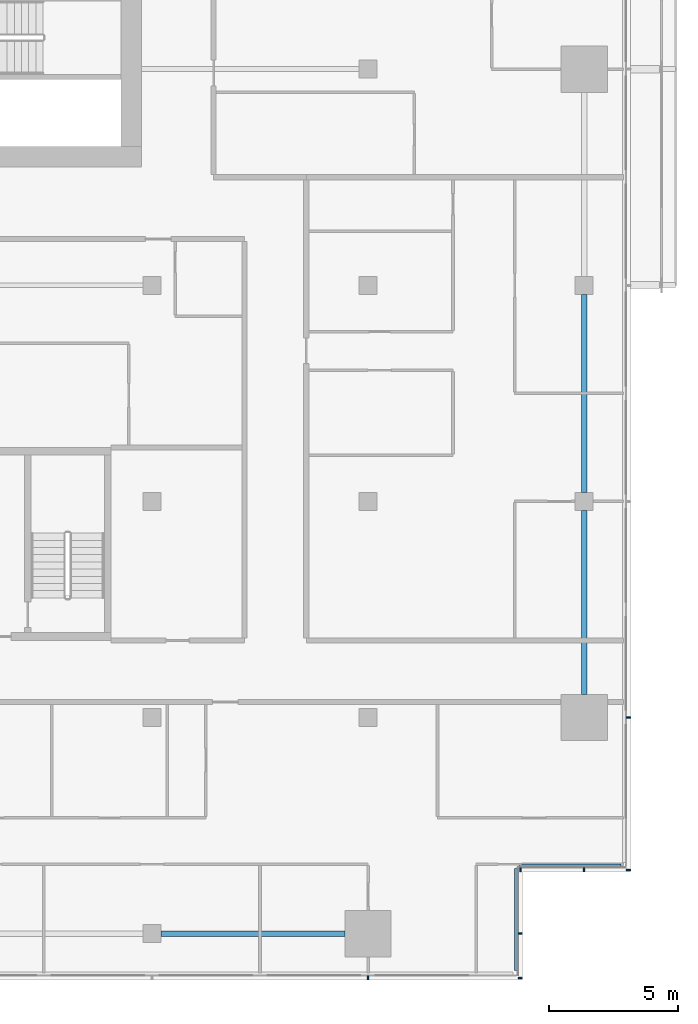
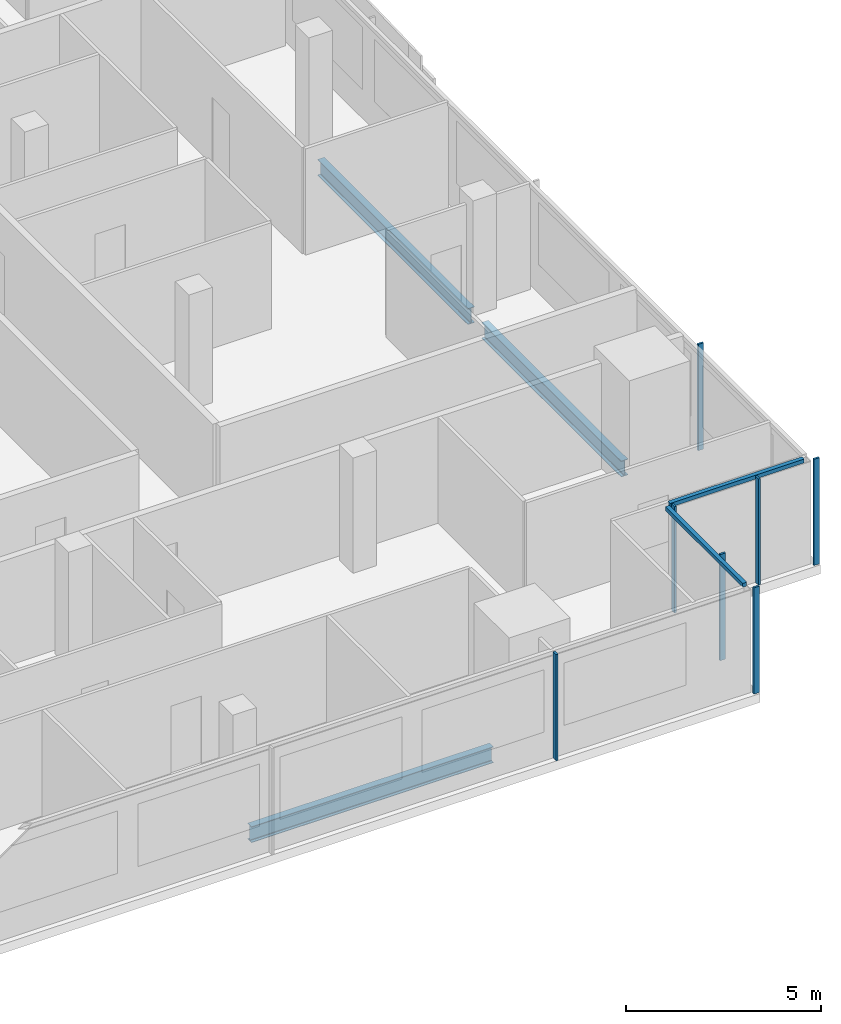
# One storey, part 10 of 29: 9 members, 3 beams, 4 elements without a shape of their own.
"""IFC4 building model written with IfcOpenShell, lengths in metres."""

from ifc_helpers import new_model, si_unit, direction, frame, origin, origin_2d, place, context, subcontext, project, spatial, rectangle, i_section, extrude, material, material_profile, profile_set, type_object, element, aggregate, save


model = new_model("IFC4")

# Units and contexts
model_context = context("Model", 3, precision=1e-05, world=origin(), true_north=direction((0.0, 1.0)))
body_context = subcontext(model_context, "Body", "Model", "MODEL_VIEW")
ifc_project = project(units=[si_unit("LENGTHUNIT", "METRE"), si_unit("AREAUNIT", "SQUARE_METRE"), si_unit("VOLUMEUNIT", "CUBIC_METRE"), si_unit("PLANEANGLEUNIT", "RADIAN"), si_unit("MASSUNIT", "GRAM", prefix="KILO")], contexts=[model_context])

# Site, building, storey
site_placement = place(None, origin())
site = spatial("IfcSite", under=ifc_project, at=site_placement, CompositionType="ELEMENT")
building_placement = place(site_placement, origin())
building = spatial("IfcBuilding", under=site, at=building_placement, Name="Saffron Gate Tower", CompositionType="ELEMENT")
storey_placement = place(building_placement, frame((0.0, 0.0, 187.050048828125)))
storey = spatial("IfcBuildingStorey", under=building, at=storey_placement, Name="L46", CompositionType="ELEMENT", Elevation=187.050048828125)

# Beams
ifc_material_1 = material(Name="Structural steel S355", Category="steel")
ifc_material_profile_1 = material_profile(ifc_material_1, i_section(OverallWidth=0.199951171875, OverallDepth=0.5, WebThickness=0.01025390625, FlangeThickness=0.01611328125, FilletRadius=0.02099609375, at=origin_2d()))
ifc_profile_set_1 = profile_set([ifc_material_profile_1], Name="Structural steel S355")
beam_type = type_object("IfcBeamType", Name="B11 IPE 500", PredefinedType="SPANDREL", material=ifc_profile_set_1)
beam_1_placement = place(storey_placement, frame((108.949951171875, 31.800048828125, -0.530029296875), z_axis=(1.0, 0.0, 0.0), x_axis=(0.0, 1.0, 0.0)))
element("IfcBeam", 1, at=beam_1_placement, inside=storey, type_object=beam_type, Name="B11 SPANDREL BEAM", PredefinedType="SPANDREL", context=body_context, shape_type="SweptSolid", body=[
    extrude(i_section(OverallWidth=0.199951171875, OverallDepth=0.5, WebThickness=0.01025390625, FlangeThickness=0.01611328125, FilletRadius=0.02099609375, at=origin_2d()), origin(), (0.0, 0.0, 1.0), 7.150146484375),
])
beam_2_placement = place(storey_placement, frame((125.39990234375, 41.10009765625, -0.530029296875), z_axis=(0.0, 1.0, 0.0), x_axis=(-1.0, 0.0, 0.0)))
element("IfcBeam", 2, at=beam_2_placement, inside=storey, type_object=beam_type, Name="B11 SPANDREL BEAM", PredefinedType="SPANDREL", context=body_context, shape_type="SweptSolid", body=[
    extrude(i_section(OverallWidth=0.199951171875, OverallDepth=0.5, WebThickness=0.01025390625, FlangeThickness=0.01611328125, FilletRadius=0.02099609375, at=origin_2d()), origin(), (0.0, 0.0, 1.0), 7.14990234375),
])
beam_3_placement = place(storey_placement, frame((125.39990234375, 48.949951171875, -0.530029296875), z_axis=(0.0, 1.0, 0.0), x_axis=(-1.0, 0.0, 0.0)))
element("IfcBeam", 3, at=beam_3_placement, inside=storey, type_object=beam_type, Name="B11 SPANDREL BEAM", PredefinedType="SPANDREL", context=body_context, shape_type="SweptSolid", body=[
    extrude(i_section(OverallWidth=0.199951171875, OverallDepth=0.5, WebThickness=0.01025390625, FlangeThickness=0.01611328125, FilletRadius=0.02099609375, at=origin_2d()), origin(), (0.0, 0.0, 1.0), 7.699951171875),
])

# Curtain wall, member
ifc_material_2 = material(Name="Aluminium, bronze anodised", Category="aluminium")
curtain_wall_type_1 = type_object("IfcCurtainWallType", Name="CWS1 curtain wall front facade", PredefinedType="NOTDEFINED", material=ifc_material_2)
curtain_wall_1_placement = place(storey_placement, origin())
curtain_wall_1 = element("IfcCurtainWall", 4, at=curtain_wall_1_placement, inside=storey, type_object=curtain_wall_type_1, Name="CWS1 run 1", PredefinedType="NOTDEFINED")
ifc_material_profile_2 = material_profile(ifc_material_2, rectangle(XDim=0.159912109375, YDim=0.06005859375, at=origin_2d()))
ifc_profile_set_2 = profile_set([ifc_material_profile_2], Name="Aluminium, bronze anodised")
member_type_1 = type_object("IfcMemberType", Name="CWS1 mullion 60x160", PredefinedType="MULLION", material=ifc_profile_set_2)
member_1_placement = place(storey_placement, frame((117.0, 30.080078125, 0.0), z_axis=(0.0, 0.0, 1.0), x_axis=(0.0, 1.0, 0.0)))
member_1 = element("IfcMember", 5, at=member_1_placement, type_object=member_type_1, Name="CWS1 mullion 9", PredefinedType="MULLION", context=body_context, shape_type="SweptSolid", body=[
    extrude(rectangle(XDim=0.159912109375, YDim=0.06005859375, at=origin_2d()), origin(), (0.0, 0.0, 1.0), 3.320068359375),
])
aggregate(curtain_wall_1, [member_1])

# Curtain wall, members
curtain_wall_type_2 = type_object("IfcCurtainWallType", Name="CWS2 curtain wall side facades", PredefinedType="NOTDEFINED", material=ifc_material_2)
curtain_wall_2_placement = place(storey_placement, origin())
curtain_wall_2 = element("IfcCurtainWall", 6, at=curtain_wall_2_placement, inside=storey, type_object=curtain_wall_type_2, Name="CWS2 run 4", PredefinedType="NOTDEFINED")
ifc_material_profile_3 = material_profile(ifc_material_2, rectangle(XDim=0.159912109375, YDim=0.06005859375, at=origin_2d()))
ifc_profile_set_3 = profile_set([ifc_material_profile_3], Name="Aluminium, bronze anodised")
member_type_2 = type_object("IfcMemberType", Name="CWS2 mullion 60x160", PredefinedType="MULLION", material=ifc_profile_set_3)
member_2_placement = place(storey_placement, frame((127.1201171875, 34.280029296875, 0.0), z_axis=(0.0, 0.0, 1.0), x_axis=(-1.0, 0.0, 0.0)))
member_2 = element("IfcMember", 7, at=member_2_placement, type_object=member_type_2, Name="CWS2 mullion 1", PredefinedType="MULLION", context=body_context, shape_type="SweptSolid", body=[
    extrude(rectangle(XDim=0.159912109375, YDim=0.06005859375, at=origin_2d()), origin(), (0.0, 0.0, 1.0), 3.320068359375),
])
member_3_placement = place(storey_placement, frame((127.1201171875, 40.199951171875, 0.0), z_axis=(0.0, 0.0, 1.0), x_axis=(-1.0, 0.0, 0.0)))
member_3 = element("IfcMember", 8, at=member_3_placement, type_object=member_type_2, Name="CWS2 mullion 2", PredefinedType="MULLION", context=body_context, shape_type="SweptSolid", body=[
    extrude(rectangle(XDim=0.159912109375, YDim=0.06005859375, at=origin_2d()), origin(), (0.0, 0.0, 1.0), 3.320068359375),
])
aggregate(curtain_wall_2, [member_2, member_3])

# Curtain wall, member
curtain_wall_type_3 = type_object("IfcCurtainWallType", Name="CWS4 curtain wall corner returns", PredefinedType="NOTDEFINED", material=ifc_material_2)
curtain_wall_3_placement = place(storey_placement, origin())
curtain_wall_3 = element("IfcCurtainWall", 9, at=curtain_wall_3_placement, inside=storey, type_object=curtain_wall_type_3, Name="CWS4 run 2", PredefinedType="NOTDEFINED")
ifc_material_profile_4 = material_profile(ifc_material_2, rectangle(XDim=0.1201171875, YDim=0.1201171875, at=origin_2d()))
ifc_profile_set_4 = profile_set([ifc_material_profile_4], Name="Aluminium, bronze anodised")
member_type_3 = type_object("IfcMemberType", Name="CWS4 head transom", PredefinedType="USERDEFINED", material=ifc_profile_set_4)
member_4_placement = place(storey_placement, frame((122.751953125, 30.367919921875, 3.260009765625), z_axis=(0.0, 1.0, 0.0), x_axis=(-1.0, 0.0, 0.0)))
member_4 = element("IfcMember", 10, at=member_4_placement, type_object=member_type_3, Name="CWS4 head transom", ObjectType="TRANSOM", PredefinedType="USERDEFINED", context=body_context, shape_type="SweptSolid", body=[
    extrude(rectangle(XDim=0.1201171875, YDim=0.1201171875, at=origin_2d()), origin(), (0.0, 0.0, 1.0), 3.9599609375),
])

curtain_wall_4_placement = place(storey_placement, origin())
curtain_wall_4 = element("IfcCurtainWall", 11, at=curtain_wall_4_placement, inside=storey, type_object=curtain_wall_type_3, Name="CWS4 run 3", PredefinedType="NOTDEFINED")
member_5_placement = place(storey_placement, frame((122.8720703125, 34.447998046875, 3.260009765625), z_axis=(1.0, 0.0, 0.0), x_axis=(0.0, 1.0, 0.0)))
member_5 = element("IfcMember", 12, at=member_5_placement, type_object=member_type_3, Name="CWS4 head transom", ObjectType="TRANSOM", PredefinedType="USERDEFINED", context=body_context, shape_type="SweptSolid", body=[
    extrude(rectangle(XDim=0.1201171875, YDim=0.1201171875, at=origin_2d()), origin(), (0.0, 0.0, 1.0), 3.9599609375),
])

# Member
ifc_material_profile_5 = material_profile(ifc_material_2, rectangle(XDim=0.159912109375, YDim=0.06005859375, at=origin_2d()))
ifc_profile_set_5 = profile_set([ifc_material_profile_5], Name="Aluminium, bronze anodised")
member_type_4 = type_object("IfcMemberType", Name="CWS4 mullion 60x160", PredefinedType="MULLION", material=ifc_profile_set_5)
member_6_placement = place(storey_placement, frame((122.919921875, 30.080078125, 0.0), z_axis=(0.0, 0.0, 1.0), x_axis=(-1.0, 0.0, 0.0)))
member_6 = element("IfcMember", 13, at=member_6_placement, type_object=member_type_4, Name="CWS4 mullion 1", PredefinedType="MULLION", context=body_context, shape_type="SweptSolid", body=[
    extrude(rectangle(XDim=0.159912109375, YDim=0.06005859375, at=origin_2d()), origin(), (0.0, 0.0, 1.0), 3.320068359375),
])

member_7_placement = place(storey_placement, frame((122.919921875, 31.800048828125, 0.0), z_axis=(0.0, 0.0, 1.0), x_axis=(-1.0, 0.0, 0.0)))
member_7 = element("IfcMember", 14, at=member_7_placement, type_object=member_type_4, Name="CWS4 mullion 2", PredefinedType="MULLION", context=body_context, shape_type="SweptSolid", body=[
    extrude(rectangle(XDim=0.159912109375, YDim=0.06005859375, at=origin_2d()), origin(), (0.0, 0.0, 1.0), 3.320068359375),
])

aggregate(curtain_wall_3, [member_6, member_7, member_4])

member_8_placement = place(storey_placement, frame((122.919921875, 34.280029296875, 0.0), z_axis=(0.0, 0.0, 1.0), x_axis=(0.0, 1.0, 0.0)))
member_8 = element("IfcMember", 15, at=member_8_placement, type_object=member_type_4, Name="CWS4 mullion 1", PredefinedType="MULLION", context=body_context, shape_type="SweptSolid", body=[
    extrude(rectangle(XDim=0.159912109375, YDim=0.06005859375, at=origin_2d()), origin(), (0.0, 0.0, 1.0), 3.320068359375),
])

member_9_placement = place(storey_placement, frame((125.39990234375, 34.280029296875, 0.0), z_axis=(0.0, 0.0, 1.0), x_axis=(0.0, 1.0, 0.0)))
member_9 = element("IfcMember", 16, at=member_9_placement, type_object=member_type_4, Name="CWS4 mullion 2", PredefinedType="MULLION", context=body_context, shape_type="SweptSolid", body=[
    extrude(rectangle(XDim=0.159912109375, YDim=0.06005859375, at=origin_2d()), origin(), (0.0, 0.0, 1.0), 3.320068359375),
])

aggregate(curtain_wall_4, [member_8, member_9, member_5])

save(model, "model.ifc")
